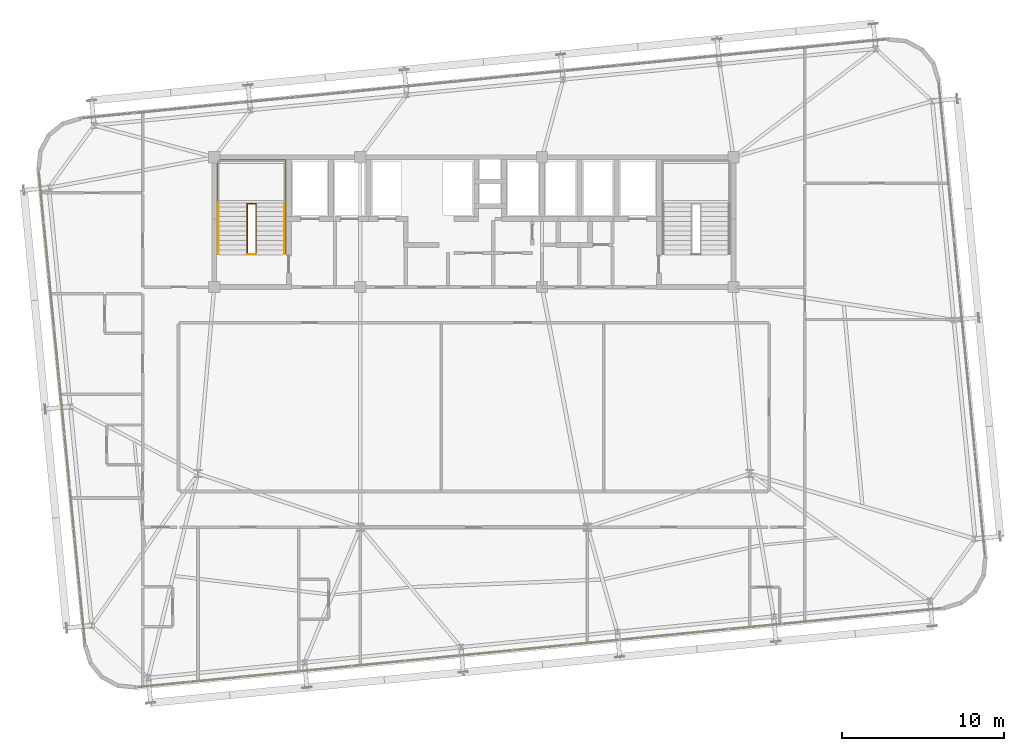
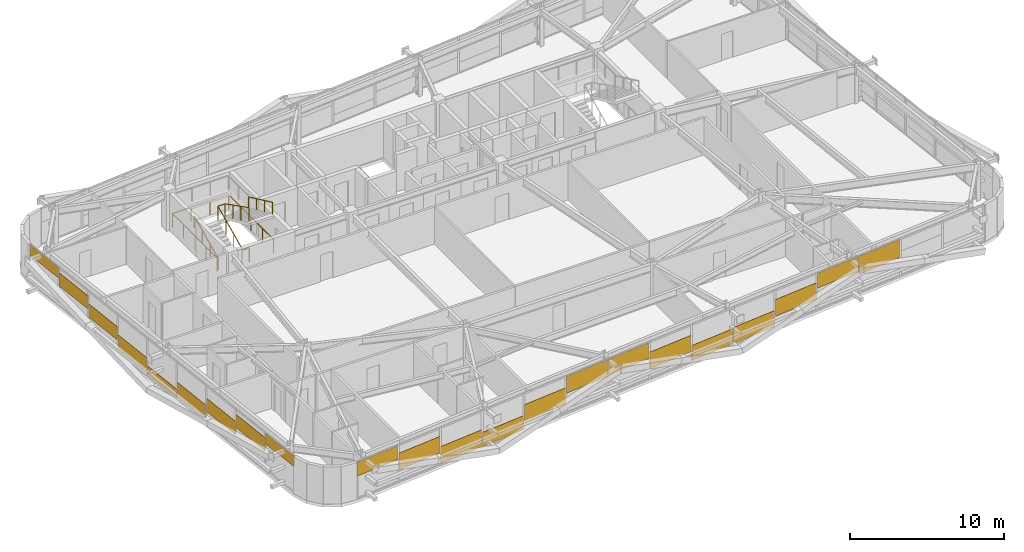
# One storey, part 51 of 53: 22 coverings, 5 railings.
"""IFC4 building model written with IfcOpenShell, lengths in metres."""

from ifc_helpers import new_model, si_unit, direction, frame, origin, origin_2d, place, context, subcontext, project, spatial, rectangle, extrude, source, transform, mapped, material, layer, layer_set, type_object, element, save


model = new_model("IFC4")

# Units and contexts
model_context = context("Model", 3, precision=1e-05, world=origin(), true_north=direction((0.0, 1.0)))
body_context = subcontext(model_context, "Body", "Model", "MODEL_VIEW")
ifc_project = project(units=[si_unit("LENGTHUNIT", "METRE"), si_unit("AREAUNIT", "SQUARE_METRE"), si_unit("VOLUMEUNIT", "CUBIC_METRE"), si_unit("PLANEANGLEUNIT", "RADIAN"), si_unit("MASSUNIT", "GRAM", prefix="KILO")], contexts=[model_context])

# Site, building, storey
site_placement = place(None, origin())
site = spatial("IfcSite", under=ifc_project, at=site_placement, CompositionType="ELEMENT")
building_placement = place(site_placement, origin())
building = spatial("IfcBuilding", under=site, at=building_placement, Name="Taldren Reach Tower", CompositionType="ELEMENT")
storey_placement = place(building_placement, frame((0.0, 0.0, 84.0)))
storey = spatial("IfcBuildingStorey", under=building, at=storey_placement, Name="L25", CompositionType="ELEMENT", Elevation=84.0)

# Railings
ifc_material_1 = material(Name="Steel Gr 350 (C350L0)", Category="steel")
ifc_layer_1 = layer(ifc_material_1, 0.050048828125)
ifc_layer_set_1 = layer_set([ifc_layer_1], Name="Steel Gr 350 (C350L0)")
railing_type_1 = type_object("IfcRailingType", Name="RL-STAIR-GR", PredefinedType="GUARDRAIL", material=ifc_layer_set_1)
railing_1_placement = place(storey_placement, frame((21.030029296875, 26.050048828125, 0.131103515625)))
element("IfcRailing", 1, at=railing_1_placement, inside=storey, type_object=railing_type_1, Name="Stairwell inner guard ST1-L25", PredefinedType="GUARDRAIL", context=body_context, shape_type="SweptSolid", body=[
    extrude(rectangle(XDim=0.047852, YDim=0.047852, at=origin_2d()), frame((0.0, 0.0, 1.09619140625), z_axis=(0.0, 0.905710134349, 0.423897573167), x_axis=(-1.0, 0.0, 0.0)), (0.0, 0.0, 1.0), 3.406005859375),
    extrude(rectangle(XDim=0.047852, YDim=0.047852, at=origin_2d()), frame((0.0, 3.0849609375, 2.5400390625), z_axis=(1.0, 0.0, 0.0), x_axis=(0.0, 1.0, 0.0)), (0.0, 0.0, 1.0), 0.5400390625),
    extrude(rectangle(XDim=0.047852, YDim=0.047852, at=origin_2d()), frame((0.5400390625, 3.0849609375, 2.5400390625), z_axis=(0.0, -0.890645957773, 0.45469745755), x_axis=(1.0, 0.0, 0.0)), (0.0, 0.0, 1.0), 3.463623046875),
    extrude(rectangle(XDim=0.041992, YDim=0.041992, at=origin_2d()), origin(), (0.0, 0.0, 1.0), 1.072021484375),
    extrude(rectangle(XDim=0.041992, YDim=0.041992, at=origin_2d()), frame((0.0, 1.0283203125, 0.481201171875)), (0.0, 0.0, 1.0), 1.072021484375),
    extrude(rectangle(XDim=0.041992, YDim=0.041992, at=origin_2d()), frame((0.0, 2.056640625, 0.962646484375)), (0.0, 0.0, 1.0), 1.072021484375),
    extrude(rectangle(XDim=0.041992, YDim=0.041992, at=origin_2d()), frame((0.0, 3.0849609375, 1.44384765625)), (0.0, 0.0, 1.0), 1.072021484375),
    extrude(rectangle(XDim=0.041992, YDim=0.041992, at=origin_2d()), frame((0.5400390625, 3.0849609375, 1.44384765625)), (0.0, 0.0, 1.0), 1.072021484375),
    extrude(rectangle(XDim=0.041992, YDim=0.041992, at=origin_2d()), frame((0.5400390625, 2.056640625, 1.96875)), (0.0, 0.0, 1.0), 1.072021484375),
    extrude(rectangle(XDim=0.041992, YDim=0.041992, at=origin_2d()), frame((0.5400390625, 1.0283203125, 2.493896484375)), (0.0, 0.0, 1.0), 1.072021484375),
    extrude(rectangle(XDim=0.041992, YDim=0.041992, at=origin_2d()), frame((0.5400390625, 0.0, 3.018798828125)), (0.0, 0.0, 1.0), 1.072021484375),
])
railing_2_placement = place(storey_placement, frame((21.030029296875, 26.010009765625, 0.0)))
element("IfcRailing", 2, at=railing_2_placement, inside=storey, type_object=railing_type_1, Name="Stairwell landing slot guard ST1-L25", PredefinedType="GUARDRAIL", context=body_context, shape_type="SweptSolid", body=[
    extrude(rectangle(XDim=0.047852, YDim=0.047852, at=origin_2d()), frame((0.0, 0.0, 1.09619140625), z_axis=(1.0, 0.0, 0.0), x_axis=(0.0, 1.0, 0.0)), (0.0, 0.0, 1.0), 0.5400390625),
    extrude(rectangle(XDim=0.041992, YDim=0.041992, at=origin_2d()), origin(), (0.0, 0.0, 1.0), 1.072021484375),
    extrude(rectangle(XDim=0.041992, YDim=0.041992, at=origin_2d()), frame((0.5400390625, 0.0, 0.0)), (0.0, 0.0, 1.0), 1.072021484375),
])
railing_3_placement = place(storey_placement, frame((19.18994140625, 26.050048828125, 0.0)))
element("IfcRailing", 3, at=railing_3_placement, inside=storey, type_object=railing_type_1, Name="Stairwell floor opening guard ST1-L25", PredefinedType="GUARDRAIL", context=body_context, shape_type="SweptSolid", body=[
    extrude(rectangle(XDim=0.047852, YDim=0.047852, at=origin_2d()), frame((0.0, 0.0, 1.09619140625), z_axis=(0.0, 1.0, 0.0), x_axis=(-1.0, 0.0, 0.0)), (0.0, 0.0, 1.0), 5.800048828125),
    extrude(rectangle(XDim=0.047852, YDim=0.047852, at=origin_2d()), frame((0.0, 5.800048828125, 1.09619140625), z_axis=(1.0, 0.0, 0.0), x_axis=(0.0, 1.0, 0.0)), (0.0, 0.0, 1.0), 4.219970703125),
    extrude(rectangle(XDim=0.047852, YDim=0.047852, at=origin_2d()), frame((4.219970703125, 5.800048828125, 1.09619140625), z_axis=(0.0, -1.0, 0.0), x_axis=(1.0, 0.0, 0.0)), (0.0, 0.0, 1.0), 5.800048828125),
    extrude(rectangle(XDim=0.041992, YDim=0.041992, at=origin_2d()), origin(), (0.0, 0.0, 1.0), 1.072021484375),
    extrude(rectangle(XDim=0.041992, YDim=0.041992, at=origin_2d()), frame((0.0, 1.449951171875, 0.0)), (0.0, 0.0, 1.0), 1.072021484375),
    extrude(rectangle(XDim=0.041992, YDim=0.041992, at=origin_2d()), frame((0.0, 2.89990234375, 0.0)), (0.0, 0.0, 1.0), 1.072021484375),
    extrude(rectangle(XDim=0.041992, YDim=0.041992, at=origin_2d()), frame((0.0, 4.35009765625, 0.0)), (0.0, 0.0, 1.0), 1.072021484375),
    extrude(rectangle(XDim=0.041992, YDim=0.041992, at=origin_2d()), frame((0.0, 5.800048828125, 0.0)), (0.0, 0.0, 1.0), 1.072021484375),
    extrude(rectangle(XDim=0.041992, YDim=0.041992, at=origin_2d()), frame((1.40673828125, 5.800048828125, 0.0)), (0.0, 0.0, 1.0), 1.072021484375),
    extrude(rectangle(XDim=0.041992, YDim=0.041992, at=origin_2d()), frame((2.813232421875, 5.800048828125, 0.0)), (0.0, 0.0, 1.0), 1.072021484375),
    extrude(rectangle(XDim=0.041992, YDim=0.041992, at=origin_2d()), frame((4.219970703125, 5.800048828125, 0.0)), (0.0, 0.0, 1.0), 1.072021484375),
    extrude(rectangle(XDim=0.041992, YDim=0.041992, at=origin_2d()), frame((4.219970703125, 4.35009765625, 0.0)), (0.0, 0.0, 1.0), 1.072021484375),
    extrude(rectangle(XDim=0.041992, YDim=0.041992, at=origin_2d()), frame((4.219970703125, 2.89990234375, 0.0)), (0.0, 0.0, 1.0), 1.072021484375),
    extrude(rectangle(XDim=0.041992, YDim=0.041992, at=origin_2d()), frame((4.219970703125, 1.449951171875, 0.0)), (0.0, 0.0, 1.0), 1.072021484375),
    extrude(rectangle(XDim=0.041992, YDim=0.041992, at=origin_2d()), frame((4.219970703125, 0.0, 0.0)), (0.0, 0.0, 1.0), 1.072021484375),
])
ifc_material_2 = material(Name="Stainless Steel Gr 316", Category="steel")
ifc_layer_2 = layer(ifc_material_2, 0.048095703125)
ifc_layer_set_2 = layer_set([ifc_layer_2], Name="Stainless Steel Gr 316")
railing_type_2 = type_object("IfcRailingType", Name="RL-STAIR-HR", PredefinedType="HANDRAIL", material=ifc_layer_set_2)
railing_4_placement = place(storey_placement, frame((19.27001953125, 26.050048828125, 0.131103515625)))
element("IfcRailing", 4, at=railing_4_placement, inside=storey, type_object=railing_type_2, Name="Stair flight handrail ST1-L25-1", PredefinedType="HANDRAIL", context=body_context, shape_type="SweptSolid", body=[
    extrude(rectangle(XDim=0.047852, YDim=0.047852, at=origin_2d()), frame((0.0, 0.0, 0.89599609375), z_axis=(0.0, 0.905710134349, 0.423897573167), x_axis=(-1.0, 0.0, 0.0)), (0.0, 0.0, 1.0), 3.406005859375),
    extrude(rectangle(XDim=0.041992, YDim=0.041992, at=origin_2d()), origin(), (0.0, 0.0, 1.0), 0.871826171875),
    extrude(rectangle(XDim=0.041992, YDim=0.041992, at=origin_2d()), frame((0.0, 1.0283203125, 0.481201171875)), (0.0, 0.0, 1.0), 0.871826171875),
    extrude(rectangle(XDim=0.041992, YDim=0.041992, at=origin_2d()), frame((0.0, 2.056640625, 0.962646484375)), (0.0, 0.0, 1.0), 0.871826171875),
    extrude(rectangle(XDim=0.041992, YDim=0.041992, at=origin_2d()), frame((0.0, 3.0849609375, 1.44384765625)), (0.0, 0.0, 1.0), 0.871826171875),
])
railing_5_placement = place(storey_placement, frame((23.330078125, 29.135009765625, 1.706298828125)))
element("IfcRailing", 5, at=railing_5_placement, inside=storey, type_object=railing_type_2, Name="Stair flight handrail ST1-L25-2", PredefinedType="HANDRAIL", context=body_context, shape_type="SweptSolid", body=[
    extrude(rectangle(XDim=0.047852, YDim=0.047852, at=origin_2d()), frame((0.0, 0.0, 0.89599609375), z_axis=(0.0, -0.905737652094, 0.423838773095), x_axis=(1.0, 0.0, 0.0)), (0.0, 0.0, 1.0), 3.406005859375),
    extrude(rectangle(XDim=0.041992, YDim=0.041992, at=origin_2d()), origin(), (0.0, 0.0, 1.0), 0.871826171875),
    extrude(rectangle(XDim=0.041992, YDim=0.041992, at=origin_2d()), frame((0.0, -1.0283203125, 0.481201171875)), (0.0, 0.0, 1.0), 0.871826171875),
    extrude(rectangle(XDim=0.041992, YDim=0.041992, at=origin_2d()), frame((0.0, -2.056640625, 0.96240234375)), (0.0, 0.0, 1.0), 0.871826171875),
    extrude(rectangle(XDim=0.041992, YDim=0.041992, at=origin_2d()), frame((0.0, -3.0849609375, 1.443603515625)), (0.0, 0.0, 1.0), 0.871826171875),
])

# Coverings
ifc_material_3 = material(Name="Pale Champagne Fluoropolymer Aluminium Spandrel Cladding", Category="aluminium")
ifc_layer_3 = layer(ifc_material_3, 0.0439453125)
ifc_layer_set_3 = layer_set([ifc_layer_3], Name="Pale Champagne Fluoropolymer Aluminium Spandrel Cladding")
covering_type = type_object("IfcCoveringType", Name="CV-CLAD-044", PredefinedType="CLADDING", material=ifc_layer_set_3)
shared_shape_1 = source(origin(), body_context, "Body", "SweptSolid", [
    extrude(rectangle(XDim=3.23583984375, YDim=0.0439453125, at=origin_2d()), origin(), (0.0, 0.0, 1.0), 1.094970703125),
])
covering_1_placement = place(storey_placement, frame((15.862548828125, -0.501220703125, 1.7802734375), z_axis=(0.0, 0.0, 1.0), x_axis=(0.995227390247, 0.097582999046, 0.0)))
element("IfcCovering", 6, at=covering_1_placement, inside=storey, type_object=covering_type, Name="Diagrid closure cladding strip CW-3 panel 1.1 1", PredefinedType="CLADDING", context=body_context, shape_type="MappedRepresentation", body=[
    mapped(shared_shape_1, transform((0.0, 0.0, 0.0), scale=1.0)),
])
shared_shape_2 = source(origin(), body_context, "Body", "SweptSolid", [
    extrude(rectangle(XDim=3.268310546875, YDim=0.0439453125, at=origin_2d()), origin(), (0.0, 0.0, 1.0), 1.3046875),
])
for number, where, z_axis, x_axis, name in (
    (7, (19.163818359375, -0.177734375, 0.943359375), (0.0, 0.0, 1.0), (0.995227390247, 0.097582999046, 0.0), "Diagrid closure cladding strip CW-3 panel 2.1 1"),
    (8, (29.1162109375, 0.798095703125, 0.702392578125), (0.0, 0.0, 1.0), (0.995227390247, 0.097582999046, 0.0), "Diagrid closure cladding strip CW-3 panel 5.1 1"),
    (9, (39.068359375, 1.77392578125, 0.78271484375), (0.0, 0.0, 1.0), (0.995227390247, 0.097582999046, 0.0), "Diagrid closure cladding strip CW-3 panel 8.1 1"),
    (10, (49.020751953125, 2.749755859375, 0.863037109375), (0.0, 0.0, 1.0), (0.995227390247, 0.097582999046, 0.0), "Diagrid closure cladding strip CW-3 panel 11.1 1"),
):
    element("IfcCovering", number, at=place(storey_placement, frame(where, z_axis=z_axis, x_axis=x_axis)), inside=storey, type_object=covering_type, Name=name, PredefinedType="CLADDING", context=body_context, shape_type="MappedRepresentation", body=[
        mapped(shared_shape_2, transform((0.0, 0.0, 0.0), scale=1.0)),
    ])
shared_shape_3 = source(origin(), body_context, "Body", "SweptSolid", [
    extrude(rectangle(XDim=3.268310546875, YDim=0.0439453125, at=origin_2d()), origin(), (0.0, 0.0, 1.0), 1.356201171875),
])
covering_2_placement = place(storey_placement, frame((22.481201171875, 0.147705078125, 0.05517578125), z_axis=(0.0, 0.0, 1.0), x_axis=(0.995227390247, 0.097582999046, 0.0)))
element("IfcCovering", 11, at=covering_2_placement, inside=storey, type_object=covering_type, Name="Diagrid closure cladding strip CW-3 panel 3.1 1", PredefinedType="CLADDING", context=body_context, shape_type="MappedRepresentation", body=[
    mapped(shared_shape_3, transform((0.0, 0.0, 0.0), scale=1.0)),
])
shared_shape_4 = source(origin(), body_context, "Body", "SweptSolid", [
    extrude(rectangle(XDim=3.268310546875, YDim=0.0439453125, at=origin_2d()), origin(), (0.0, 0.0, 1.0), 1.115234375),
])
covering_3_placement = place(storey_placement, frame((25.798828125, 0.472900390625, 0.054931640625), z_axis=(0.0, 0.0, 1.0), x_axis=(0.995227390247, 0.097582999046, 0.0)))
element("IfcCovering", 12, at=covering_3_placement, inside=storey, type_object=covering_type, Name="Diagrid closure cladding strip CW-3 panel 4.1 1", PredefinedType="CLADDING", context=body_context, shape_type="MappedRepresentation", body=[
    mapped(shared_shape_4, transform((0.0, 0.0, 0.0), scale=1.0)),
])
shared_shape_5 = source(origin(), body_context, "Body", "SweptSolid", [
    extrude(rectangle(XDim=3.268310546875, YDim=0.0439453125, at=origin_2d()), origin(), (0.0, 0.0, 1.0), 1.3359375),
])
covering_4_placement = place(storey_placement, frame((32.43359375, 1.12353515625, 1.5390625), z_axis=(0.0, 0.0, 1.0), x_axis=(0.995227390247, 0.097582999046, 0.0)))
element("IfcCovering", 13, at=covering_4_placement, inside=storey, type_object=covering_type, Name="Diagrid closure cladding strip CW-3 panel 6.1 1", PredefinedType="CLADDING", context=body_context, shape_type="MappedRepresentation", body=[
    mapped(shared_shape_5, transform((0.0, 0.0, 0.0), scale=1.0)),
])
shared_shape_6 = source(origin(), body_context, "Body", "SweptSolid", [
    extrude(rectangle(XDim=3.268310546875, YDim=0.0439453125, at=origin_2d()), origin(), (0.0, 0.0, 1.0), 1.255615234375),
])
covering_5_placement = place(storey_placement, frame((35.7509765625, 1.44873046875, 1.61962890625), z_axis=(0.0, 0.0, 1.0), x_axis=(0.995227390247, 0.097582999046, 0.0)))
element("IfcCovering", 14, at=covering_5_placement, inside=storey, type_object=covering_type, Name="Diagrid closure cladding strip CW-3 panel 7.1 1", PredefinedType="CLADDING", context=body_context, shape_type="MappedRepresentation", body=[
    mapped(shared_shape_6, transform((0.0, 0.0, 0.0), scale=1.0)),
])
shared_shape_7 = source(origin(), body_context, "Body", "SweptSolid", [
    extrude(rectangle(XDim=3.268310546875, YDim=0.0439453125, at=origin_2d()), origin(), (0.0, 0.0, 1.0), 1.195556640625),
])
covering_6_placement = place(storey_placement, frame((42.3857421875, 2.099365234375, 0.05517578125), z_axis=(0.0, 0.0, 1.0), x_axis=(0.995227390247, 0.097582999046, 0.0)))
element("IfcCovering", 15, at=covering_6_placement, inside=storey, type_object=covering_type, Name="Diagrid closure cladding strip CW-3 panel 9.1 1", PredefinedType="CLADDING", context=body_context, shape_type="MappedRepresentation", body=[
    mapped(shared_shape_7, transform((0.0, 0.0, 0.0), scale=1.0)),
])
shared_shape_8 = source(origin(), body_context, "Body", "SweptSolid", [
    extrude(rectangle(XDim=3.268310546875, YDim=0.0439453125, at=origin_2d()), origin(), (0.0, 0.0, 1.0), 1.27587890625),
])
covering_7_placement = place(storey_placement, frame((45.703369140625, 2.424560546875, 0.054931640625), z_axis=(0.0, 0.0, 1.0), x_axis=(0.995227390247, 0.097582999046, 0.0)))
element("IfcCovering", 16, at=covering_7_placement, inside=storey, type_object=covering_type, Name="Diagrid closure cladding strip CW-3 panel 10.1 1", PredefinedType="CLADDING", context=body_context, shape_type="MappedRepresentation", body=[
    mapped(shared_shape_8, transform((0.0, 0.0, 0.0), scale=1.0)),
])
shared_shape_9 = source(origin(), body_context, "Body", "SweptSolid", [
    extrude(rectangle(XDim=3.268310546875, YDim=0.0439453125, at=origin_2d()), origin(), (0.0, 0.0, 1.0), 1.17529296875),
])
covering_8_placement = place(storey_placement, frame((52.338134765625, 3.0751953125, 1.69970703125), z_axis=(0.0, 0.0, 1.0), x_axis=(0.995227390247, 0.097582999046, 0.0)))
element("IfcCovering", 17, at=covering_8_placement, inside=storey, type_object=covering_type, Name="Diagrid closure cladding strip CW-3 panel 12.1 1", PredefinedType="CLADDING", context=body_context, shape_type="MappedRepresentation", body=[
    mapped(shared_shape_9, transform((0.0, 0.0, 0.0), scale=1.0)),
])
shared_shape_10 = source(origin(), body_context, "Body", "SweptSolid", [
    extrude(rectangle(XDim=3.268310546875, YDim=0.0439453125, at=origin_2d()), origin(), (0.0, 0.0, 1.0), 1.416259765625),
])
covering_9_placement = place(storey_placement, frame((55.655517578125, 3.400390625, 1.458984375), z_axis=(0.0, 0.0, 1.0), x_axis=(0.995227390247, 0.097582999046, 0.0)))
element("IfcCovering", 18, at=covering_9_placement, inside=storey, type_object=covering_type, Name="Diagrid closure cladding strip CW-3 panel 13.1 1", PredefinedType="CLADDING", context=body_context, shape_type="MappedRepresentation", body=[
    mapped(shared_shape_10, transform((0.0, 0.0, 0.0), scale=1.0)),
])
shared_shape_11 = source(origin(), body_context, "Body", "SweptSolid", [
    extrude(rectangle(XDim=3.18017578125, YDim=0.0439453125, at=origin_2d()), origin(), (0.0, 0.0, 1.0), 0.83056640625),
])
for number, where, z_axis, x_axis, name in (
    (19, (8.34521484375, 29.61376953125, 2.04443359375), (0.0, 0.0, 1.0), (0.09758274098, -0.99522741555, 0.0), "Diagrid closure cladding strip CW-3 panel 1.1 1"),
    (20, (10.90087890625, 3.549072265625, 2.04443359375), (0.0, 0.0, 1.0), (0.09758274098, -0.99522741555, 0.0), "Diagrid closure cladding strip CW-3 panel 9.1 1"),
):
    element("IfcCovering", number, at=place(storey_placement, frame(where, z_axis=z_axis, x_axis=x_axis)), inside=storey, type_object=covering_type, Name=name, PredefinedType="CLADDING", context=body_context, shape_type="MappedRepresentation", body=[
        mapped(shared_shape_11, transform((0.0, 0.0, 0.0), scale=1.0)),
    ])
shared_shape_12 = source(origin(), body_context, "Body", "SweptSolid", [
    extrude(rectangle(XDim=3.212890625, YDim=0.0439453125, at=origin_2d()), origin(), (0.0, 0.0, 1.0), 1.053466796875),
])
for number, where, z_axis, x_axis, name in (
    (21, (8.663330078125, 26.36767578125, 1.45654296875), (0.0, 0.0, 1.0), (0.09758274098, -0.99522741555, 0.0), "Diagrid closure cladding strip CW-3 panel 2.1 1"),
    (22, (8.983154296875, 23.105712890625, 0.869140625), (0.0, 0.0, 1.0), (0.09758274098, -0.99522741555, 0.0), "Diagrid closure cladding strip CW-3 panel 3.1 1"),
    (23, (9.30322265625, 19.843505859375, 0.28125), (0.0, 0.0, 1.0), (0.09758274098, -0.99522741555, 0.0), "Diagrid closure cladding strip CW-3 panel 4.1 1"),
    (24, (9.94287109375, 13.319091796875, 0.28125), (0.0, 0.0, 1.0), (0.09758274098, -0.99522741555, 0.0), "Diagrid closure cladding strip CW-3 panel 6.1 1"),
    (25, (10.2626953125, 10.05712890625, 0.869140625), (0.0, 0.0, 1.0), (0.09758274098, -0.99522741555, 0.0), "Diagrid closure cladding strip CW-3 panel 7.1 1"),
    (26, (10.58251953125, 6.794921875, 1.45654296875), (0.0, 0.0, 1.0), (0.09758274098, -0.99522741555, 0.0), "Diagrid closure cladding strip CW-3 panel 8.1 1"),
):
    element("IfcCovering", number, at=place(storey_placement, frame(where, z_axis=z_axis, x_axis=x_axis)), inside=storey, type_object=covering_type, Name=name, PredefinedType="CLADDING", context=body_context, shape_type="MappedRepresentation", body=[
        mapped(shared_shape_12, transform((0.0, 0.0, 0.0), scale=1.0)),
    ])
shared_shape_13 = source(origin(), body_context, "Body", "SweptSolid", [
    extrude(rectangle(XDim=3.212890625, YDim=0.0439453125, at=origin_2d()), origin(), (0.0, 0.0, 1.0), 0.691650390625),
])
covering_10_placement = place(storey_placement, frame((9.623046875, 16.581298828125, 0.05517578125), z_axis=(0.0, 0.0, 1.0), x_axis=(0.09758274098, -0.99522741555, 0.0)))
element("IfcCovering", 27, at=covering_10_placement, inside=storey, type_object=covering_type, Name="Diagrid closure cladding strip CW-3 panel 5.1 1", PredefinedType="CLADDING", context=body_context, shape_type="MappedRepresentation", body=[
    mapped(shared_shape_13, transform((0.0, 0.0, 0.0), scale=1.0)),
])

save(model, "model.ifc")
